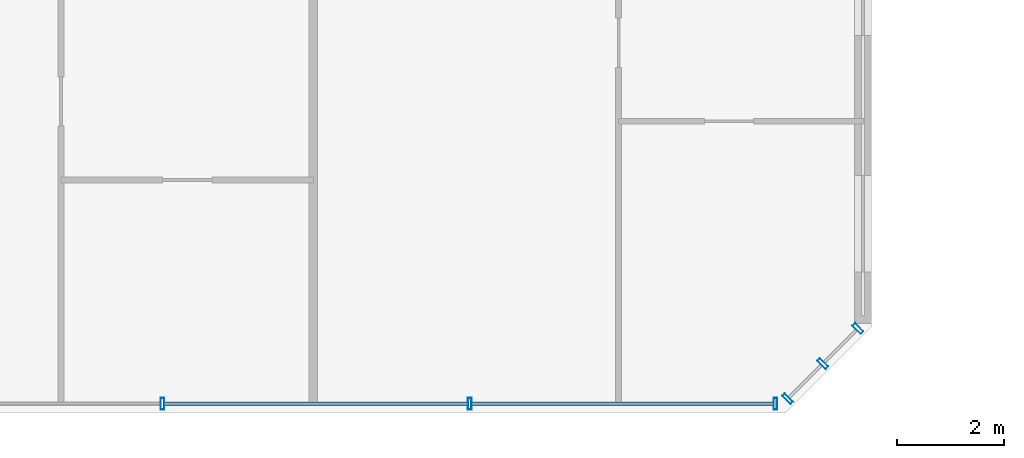
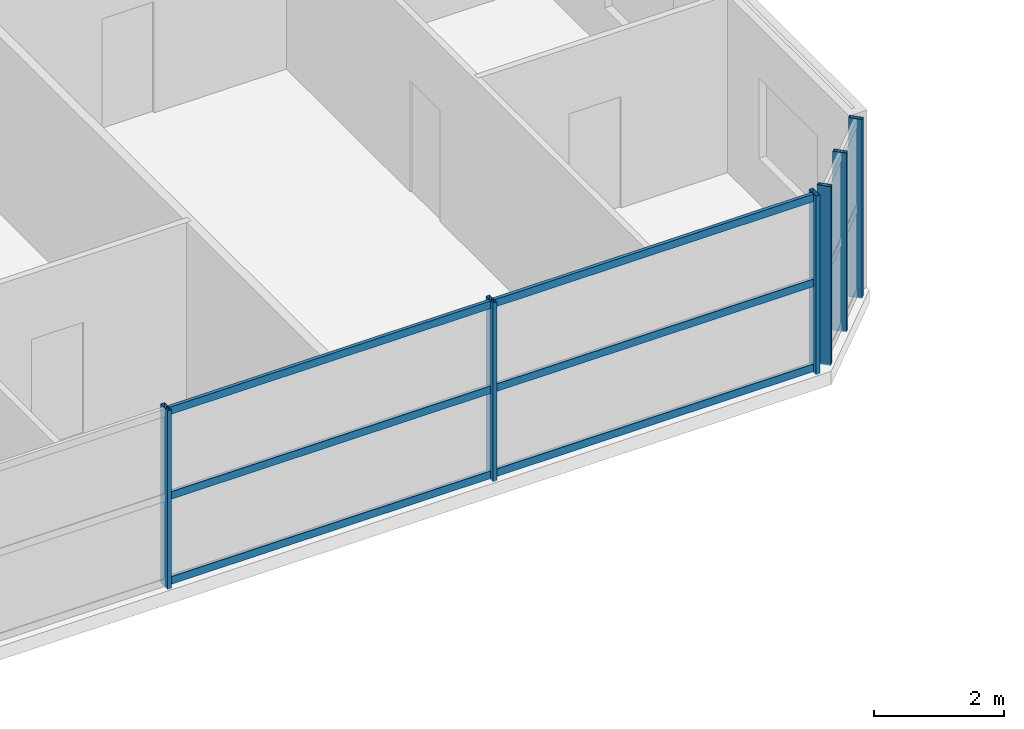
# One storey, part 6 of 22: 12 members, 2 elements without a shape of their own.
"""IFC4 building model written with IfcOpenShell, lengths in metres."""

from ifc_helpers import new_model, si_unit, direction, frame, origin, origin_2d, place, context, subcontext, project, spatial, hollow_rectangle, extrude, source, transform, mapped, material, material_profile, profile_set, type_object, element, aggregate, save


model = new_model("IFC4")

# Units and contexts
model_context = context("Model", 3, precision=1e-05, world=origin(), true_north=direction((0.0, 1.0)))
body_context = subcontext(model_context, "Body", "Model", "MODEL_VIEW")
ifc_project = project(units=[si_unit("LENGTHUNIT", "METRE"), si_unit("AREAUNIT", "SQUARE_METRE"), si_unit("VOLUMEUNIT", "CUBIC_METRE"), si_unit("PLANEANGLEUNIT", "RADIAN"), si_unit("MASSUNIT", "GRAM", prefix="KILO")], contexts=[model_context])

# Site, building, storey
site_placement = place(None, origin())
site = spatial("IfcSite", under=ifc_project, at=site_placement, CompositionType="ELEMENT")
building_placement = place(site_placement, origin())
building = spatial("IfcBuilding", under=site, at=building_placement, Name="Tlacorven Tower", CompositionType="ELEMENT")
storey_placement = place(building_placement, frame((0.0, 0.0, 97.199951171875)))
storey = spatial("IfcBuildingStorey", under=building, at=storey_placement, Name="L24", CompositionType="ELEMENT", Elevation=97.199951171875)

# Curtain wall, members
ifc_material_1 = material(Name="Dark solar low-E double glazing in aluminium frame", Category="aluminium")
curtain_wall_type = type_object("IfcCurtainWallType", Name="CW-TWR-LOW", PredefinedType="USERDEFINED", material=ifc_material_1)
curtain_wall_1_placement = place(storey_placement, origin())
curtain_wall_1 = element("IfcCurtainWall", 1, at=curtain_wall_1_placement, inside=storey, type_object=curtain_wall_type, Name="L24 CW-TWR-LOW Curtain Wall 124", ObjectType="UNITISED CURTAIN WALL", PredefinedType="USERDEFINED")
ifc_material_2 = material(Name="Aluminium 6063-T6 anodised", Category="aluminium")
ifc_material_profile_1 = material_profile(ifc_material_2, hollow_rectangle(XDim=0.06005859375, YDim=0.139892578125, WallThickness=0.00390625, at=origin_2d()), Name="ALU TRANSOM 60X140")
ifc_profile_set_1 = profile_set([ifc_material_profile_1], Name="Aluminium 6063-T6 anodised")
member_type_1 = type_object("IfcMemberType", Name="CWT-02", PredefinedType="USERDEFINED", material=ifc_profile_set_1)
shared_shape_1 = source(origin(), body_context, "Body", "SweptSolid", [
    extrude(hollow_rectangle(XDim=0.06005859375, YDim=0.139892578125, WallThickness=0.00390625, at=origin_2d()), origin(), (0.0, 0.0, 1.0), 5.6748046875),
])
member_1_placement = place(storey_placement, frame((50.57568359375, 1.9599609375, 0.070068359375), z_axis=(-1.0, 0.0, 0.0), x_axis=(0.0, -1.0, 0.0)))
member_1 = element("IfcMember", 2, at=member_1_placement, type_object=member_type_1, Name="CW-L24-124 Transom 1", ObjectType="TRANSOM", PredefinedType="USERDEFINED", context=body_context, shape_type="MappedRepresentation", body=[
    mapped(shared_shape_1, transform((0.0, 0.0, 0.0), scale=1.0)),
])
member_2_placement = place(storey_placement, frame((50.57568359375, 1.9599609375, 1.66015625), z_axis=(-1.0, 0.0, 0.0), x_axis=(0.0, -1.0, 0.0)))
member_2 = element("IfcMember", 3, at=member_2_placement, type_object=member_type_1, Name="CW-L24-124 Transom 2", ObjectType="TRANSOM", PredefinedType="USERDEFINED", context=body_context, shape_type="MappedRepresentation", body=[
    mapped(shared_shape_1, transform((0.0, 0.0, 0.0), scale=1.0)),
])
member_3_placement = place(storey_placement, frame((50.57568359375, 1.9599609375, 3.25), z_axis=(-1.0, 0.0, 0.0), x_axis=(0.0, -1.0, 0.0)))
member_3 = element("IfcMember", 4, at=member_3_placement, type_object=member_type_1, Name="CW-L24-124 Transom 3", ObjectType="TRANSOM", PredefinedType="USERDEFINED", context=body_context, shape_type="MappedRepresentation", body=[
    mapped(shared_shape_1, transform((0.0, 0.0, 0.0), scale=1.0)),
])
shared_shape_2 = source(origin(), body_context, "Body", "SweptSolid", [
    extrude(hollow_rectangle(XDim=0.06005859375, YDim=0.139892578125, WallThickness=0.00390625, at=origin_2d()), origin(), (0.0, 0.0, 1.0), 5.7099609375),
])
member_4_placement = place(storey_placement, frame((44.85498046875, 1.9599609375, 0.070068359375), z_axis=(-1.0, 0.0, 0.0), x_axis=(0.0, -1.0, 0.0)))
member_4 = element("IfcMember", 5, at=member_4_placement, type_object=member_type_1, Name="CW-L24-124 Transom 4", ObjectType="TRANSOM", PredefinedType="USERDEFINED", context=body_context, shape_type="MappedRepresentation", body=[
    mapped(shared_shape_2, transform((0.0, 0.0, 0.0), scale=1.0)),
])
member_5_placement = place(storey_placement, frame((44.85498046875, 1.9599609375, 1.66015625), z_axis=(-1.0, 0.0, 0.0), x_axis=(0.0, -1.0, 0.0)))
member_5 = element("IfcMember", 6, at=member_5_placement, type_object=member_type_1, Name="CW-L24-124 Transom 5", ObjectType="TRANSOM", PredefinedType="USERDEFINED", context=body_context, shape_type="MappedRepresentation", body=[
    mapped(shared_shape_2, transform((0.0, 0.0, 0.0), scale=1.0)),
])
member_6_placement = place(storey_placement, frame((44.85498046875, 1.9599609375, 3.25), z_axis=(-1.0, 0.0, 0.0), x_axis=(0.0, -1.0, 0.0)))
member_6 = element("IfcMember", 7, at=member_6_placement, type_object=member_type_1, Name="CW-L24-124 Transom 6", ObjectType="TRANSOM", PredefinedType="USERDEFINED", context=body_context, shape_type="MappedRepresentation", body=[
    mapped(shared_shape_2, transform((0.0, 0.0, 0.0), scale=1.0)),
])

curtain_wall_2_placement = place(storey_placement, origin())
curtain_wall_2 = element("IfcCurtainWall", 8, at=curtain_wall_2_placement, inside=storey, type_object=curtain_wall_type, Name="L24 CW-TWR-LOW Curtain Wall 123", ObjectType="UNITISED CURTAIN WALL", PredefinedType="USERDEFINED")
ifc_material_profile_2 = material_profile(ifc_material_2, hollow_rectangle(XDim=0.070068359375, YDim=0.219970703125, WallThickness=0.0048828125, at=origin_2d()), Name="ALU MULLION 70X220")
ifc_profile_set_2 = profile_set([ifc_material_profile_2], Name="Aluminium 6063-T6 anodised")
member_type_2 = type_object("IfcMemberType", Name="CWM-01", PredefinedType="MULLION", material=ifc_profile_set_2)
shared_shape_3 = source(origin(), body_context, "Body", "SweptSolid", [
    extrude(hollow_rectangle(XDim=0.070068359375, YDim=0.219970703125, WallThickness=0.0048828125, at=origin_2d()), origin(), (0.0, 0.0, 1.0), 3.35009765625),
])
member_7_placement = place(storey_placement, frame((52.14453125, 3.370849609375, -0.02001953125), z_axis=(0.0, 0.0, 1.0), x_axis=(-0.707106781187, -0.707106781187, 0.0)))
member_7 = element("IfcMember", 9, at=member_7_placement, type_object=member_type_2, Name="CW-L24-123 Mullion 1", PredefinedType="MULLION", context=body_context, shape_type="MappedRepresentation", body=[
    mapped(shared_shape_3, transform((0.0, 0.0, 0.0), scale=1.0)),
])
member_8_placement = place(storey_placement, frame((51.48681640625, 2.713134765625, -0.02001953125), z_axis=(0.0, 0.0, 1.0), x_axis=(-0.707106781187, -0.707106781187, 0.0)))
member_8 = element("IfcMember", 10, at=member_8_placement, type_object=member_type_2, Name="CW-L24-123 Mullion 2", PredefinedType="MULLION", context=body_context, shape_type="MappedRepresentation", body=[
    mapped(shared_shape_3, transform((0.0, 0.0, 0.0), scale=1.0)),
])
member_9_placement = place(storey_placement, frame((50.8291015625, 2.055419921875, -0.02001953125), z_axis=(0.0, 0.0, 1.0), x_axis=(-0.707106781187, -0.707106781187, 0.0)))
member_9 = element("IfcMember", 11, at=member_9_placement, type_object=member_type_2, Name="CW-L24-123 Mullion 3", PredefinedType="MULLION", context=body_context, shape_type="MappedRepresentation", body=[
    mapped(shared_shape_3, transform((0.0, 0.0, 0.0), scale=1.0)),
])
aggregate(curtain_wall_2, [member_7, member_8, member_9])

# Member
member_10_placement = place(storey_placement, frame((50.5986328125, 1.9599609375, -0.02001953125), z_axis=(0.0, 0.0, 1.0), x_axis=(-1.0, 0.0, 0.0)))
member_10 = element("IfcMember", 12, at=member_10_placement, type_object=member_type_2, Name="CW-L24-124 Mullion 1", PredefinedType="MULLION", context=body_context, shape_type="MappedRepresentation", body=[
    mapped(shared_shape_3, transform((0.0, 0.0, 0.0), scale=1.0)),
])

member_11_placement = place(storey_placement, frame((44.8779296875, 1.9599609375, -0.02001953125), z_axis=(0.0, 0.0, 1.0), x_axis=(-1.0, 0.0, 0.0)))
member_11 = element("IfcMember", 13, at=member_11_placement, type_object=member_type_2, Name="CW-L24-124 Mullion 2", PredefinedType="MULLION", context=body_context, shape_type="MappedRepresentation", body=[
    mapped(shared_shape_3, transform((0.0, 0.0, 0.0), scale=1.0)),
])

member_12_placement = place(storey_placement, frame((39.1220703125, 1.9599609375, -0.02001953125), z_axis=(0.0, 0.0, 1.0), x_axis=(-1.0, 0.0, 0.0)))
member_12 = element("IfcMember", 14, at=member_12_placement, type_object=member_type_2, Name="CW-L24-124 Mullion 3", PredefinedType="MULLION", context=body_context, shape_type="MappedRepresentation", body=[
    mapped(shared_shape_3, transform((0.0, 0.0, 0.0), scale=1.0)),
])

aggregate(curtain_wall_1, [member_10, member_11, member_12, member_1, member_2, member_3, member_4, member_5, member_6])

save(model, "model.ifc")
